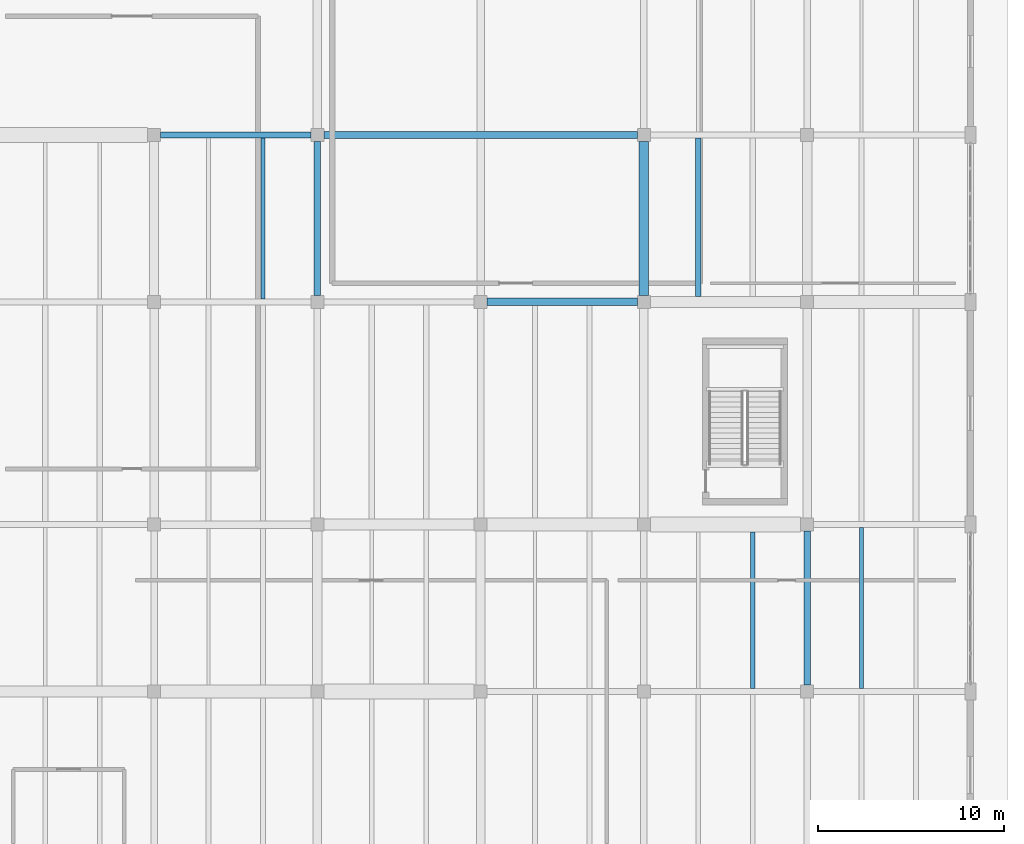
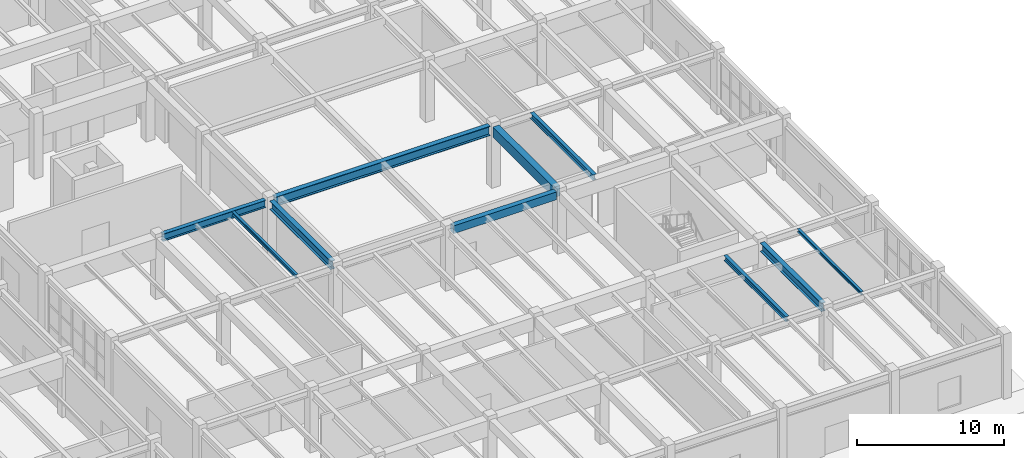
# One storey, part 51 of 91: 10 beams.
"""IFC4 building model written with IfcOpenShell, lengths in metres."""

from ifc_helpers import new_model, si_unit, direction, frame, origin, origin_2d, place, context, subcontext, project, spatial, rectangle, i_section, extrude, material, material_profile, profile_set, type_object, element, save


model = new_model("IFC4")

# Units and contexts
model_context = context("Model", 3, precision=1e-05, world=origin(), true_north=direction((0.0, 1.0)))
body_context = subcontext(model_context, "Body", "Model", "MODEL_VIEW")
ifc_project = project(units=[si_unit("LENGTHUNIT", "METRE"), si_unit("AREAUNIT", "SQUARE_METRE"), si_unit("VOLUMEUNIT", "CUBIC_METRE"), si_unit("PLANEANGLEUNIT", "RADIAN"), si_unit("MASSUNIT", "GRAM", prefix="KILO")], contexts=[model_context])

# Site, building, storey
site_placement = place(None, origin())
site = spatial("IfcSite", under=ifc_project, at=site_placement, CompositionType="ELEMENT")
building_placement = place(site_placement, origin())
building = spatial("IfcBuilding", under=site, at=building_placement, Name="Vaelkrest Opera House", CompositionType="ELEMENT")
storey_placement = place(building_placement, origin())
storey = spatial("IfcBuildingStorey", under=building, at=storey_placement, Name="L00", CompositionType="ELEMENT", Elevation=0.0)

# Beams
ifc_material_1 = material(Name="Concrete C50/60", Category="concrete")
ifc_material_profile_1 = material_profile(ifc_material_1, rectangle(XDim=0.39990234375, YDim=0.64990234375, at=origin_2d()), Name="RCB400X650")
ifc_profile_set_1 = profile_set([ifc_material_profile_1], Name="Concrete C50/60")
beam_type_1 = type_object("IfcBeamType", Name="B01", PredefinedType="BEAM", material=ifc_profile_set_1)
beam_1_placement = place(storey_placement, frame((60.35009765625, -7.800048828125, 4.7548828125), z_axis=(1.0, 0.0, 0.0), x_axis=(0.0, 1.0, 0.0)))
element("IfcBeam", 1, at=beam_1_placement, inside=storey, type_object=beam_type_1, Name="Beam BM-V4-L00-1965", PredefinedType="BEAM", context=body_context, shape_type="SweptSolid", body=[
    extrude(rectangle(XDim=0.39990234375, YDim=0.64990234375, at=origin_2d()), origin(), (0.0, 0.0, 1.0), 8.099853515625),
])
ifc_material_profile_2 = material_profile(ifc_material_1, rectangle(XDim=0.5, YDim=0.85009765625, at=origin_2d()), Name="RCB500X850")
ifc_profile_set_2 = profile_set([ifc_material_profile_2], Name="Concrete C50/60")
beam_type_2 = type_object("IfcBeamType", Name="B03", PredefinedType="BEAM", material=ifc_profile_set_2)
beam_2_placement = place(storey_placement, frame((68.800048828125, -7.449951171875, 4.655029296875), z_axis=(0.0, 1.0, 0.0), x_axis=(-1.0, 0.0, 0.0)))
element("IfcBeam", 2, at=beam_2_placement, inside=storey, type_object=beam_type_2, Name="Beam BM-V4-L00-2024", PredefinedType="BEAM", context=body_context, shape_type="SweptSolid", body=[
    extrude(rectangle(XDim=0.5, YDim=0.85009765625, at=origin_2d()), origin(), (0.0, 0.0, 1.0), 8.300048828125),
])
ifc_material_2 = material(Name="Steel A992 Gr50", Category="steel")
ifc_material_profile_3 = material_profile(ifc_material_2, i_section(OverallWidth=0.323974609375, OverallDepth=0.611083984375, WebThickness=0.0126953125, FlangeThickness=0.01904296875, at=origin_2d()), Name="W24X104")
ifc_profile_set_3 = profile_set([ifc_material_profile_3], Name="Steel A992 Gr50")
beam_type_3 = type_object("IfcBeamType", Name="B08", PredefinedType="BEAM", material=ifc_profile_set_3)
beam_3_placement = place(storey_placement, frame((42.75, 1.199951171875, 4.7744140625), z_axis=(1.0, 0.0, 0.0), x_axis=(0.0, 1.0, 0.0)))
element("IfcBeam", 3, at=beam_3_placement, inside=storey, type_object=beam_type_3, Name="Beam BM-V4-L00-1969", PredefinedType="BEAM", context=body_context, shape_type="SweptSolid", body=[
    extrude(i_section(OverallWidth=0.323974609375, OverallDepth=0.611083984375, WebThickness=0.0126953125, FlangeThickness=0.01904296875, at=origin_2d()), origin(), (0.0, 0.0, 1.0), 8.10009765625),
])
ifc_material_profile_4 = material_profile(ifc_material_2, i_section(OverallWidth=0.35791015625, OverallDepth=0.7060546875, WebThickness=0.018310546875, FlangeThickness=0.0302734375, at=origin_2d()), Name="W27X178")
ifc_profile_set_4 = profile_set([ifc_material_profile_4], Name="Steel A992 Gr50")
beam_type_4 = type_object("IfcBeamType", Name="B14", PredefinedType="BEAM", material=ifc_profile_set_4)
for number, where, z_axis, x_axis, name in (
    (4, (51.199951171875, -7.449951171875, 4.72705078125), (0.0, 1.0, 0.0), (-1.0, 0.0, 0.0), "Beam BM-V4-L00-2010"),
    (5, (77.60009765625, -28.449951171875, 4.72705078125), (0.0, 1.0, 0.0), (-1.0, 0.0, 0.0), "Beam BM-V4-L00-2030"),
):
    element("IfcBeam", number, at=place(storey_placement, frame(where, z_axis=z_axis, x_axis=x_axis)), inside=storey, type_object=beam_type_4, Name=name, PredefinedType="BEAM", context=body_context, shape_type="SweptSolid", body=[
        extrude(i_section(OverallWidth=0.35791015625, OverallDepth=0.7060546875, WebThickness=0.018310546875, FlangeThickness=0.0302734375, at=origin_2d()), origin(), (0.0, 0.0, 1.0), 8.300048828125),
    ])
ifc_material_profile_5 = material_profile(ifc_material_2, i_section(OverallWidth=0.384033203125, OverallDepth=0.785888671875, WebThickness=0.019775390625, FlangeThickness=0.033447265625, at=origin_2d()), Name="W30X211")
ifc_profile_set_5 = profile_set([ifc_material_profile_5], Name="Steel A992 Gr50")
beam_type_5 = type_object("IfcBeamType", Name="B16", PredefinedType="BEAM", material=ifc_profile_set_5)
beam_4_placement = place(storey_placement, frame((51.550048828125, 1.199951171875, 4.68701171875), z_axis=(1.0, 0.0, 0.0), x_axis=(0.0, 1.0, 0.0)))
element("IfcBeam", 6, at=beam_4_placement, inside=storey, type_object=beam_type_5, Name="Beam BM-V4-L00-1970", PredefinedType="BEAM", context=body_context, shape_type="SweptSolid", body=[
    extrude(i_section(OverallWidth=0.384033203125, OverallDepth=0.785888671875, WebThickness=0.019775390625, FlangeThickness=0.033447265625, at=origin_2d()), origin(), (0.0, 0.0, 1.0), 16.89990234375),
])
ifc_material_profile_6 = material_profile(ifc_material_2, i_section(OverallWidth=0.2041015625, OverallDepth=0.257080078125, WebThickness=0.0087890625, FlangeThickness=0.015625, at=origin_2d()), Name="W10X45")
ifc_profile_set_6 = profile_set([ifc_material_profile_6], Name="Steel A992 Gr50")
beam_type_6 = type_object("IfcBeamType", Name="J01", PredefinedType="JOIST", material=ifc_profile_set_6)
beam_5_placement = place(storey_placement, frame((80.532958984375, -28.636474609375, 4.951416015625), z_axis=(0.0, 1.0, 0.0), x_axis=(-1.0, 0.0, 0.0)))
element("IfcBeam", 7, at=beam_5_placement, inside=storey, type_object=beam_type_6, Name="Floor joist JST-V4-L00-2101", PredefinedType="JOIST", context=body_context, shape_type="SweptSolid", body=[
    extrude(i_section(OverallWidth=0.2041015625, OverallDepth=0.257080078125, WebThickness=0.0087890625, FlangeThickness=0.015625, at=origin_2d()), origin(), (0.0, 0.0, 1.0), 8.674560546875),
])
ifc_material_profile_7 = material_profile(ifc_material_2, i_section(OverallWidth=0.202880859375, OverallDepth=0.302978515625, WebThickness=0.007568359375, FlangeThickness=0.01318359375, at=origin_2d()), Name="W12X40")
ifc_profile_set_7 = profile_set([ifc_material_profile_7], Name="Steel A992 Gr50")
beam_type_7 = type_object("IfcBeamType", Name="J02", PredefinedType="JOIST", material=ifc_profile_set_7)
beam_6_placement = place(storey_placement, frame((48.26708984375, -7.636474609375, 4.928466796875), z_axis=(0.0, 1.0, 0.0), x_axis=(-1.0, 0.0, 0.0)))
element("IfcBeam", 8, at=beam_6_placement, inside=storey, type_object=beam_type_7, Name="Floor joist JST-V4-L00-2062", PredefinedType="JOIST", context=body_context, shape_type="SweptSolid", body=[
    extrude(i_section(OverallWidth=0.202880859375, OverallDepth=0.302978515625, WebThickness=0.007568359375, FlangeThickness=0.01318359375, at=origin_2d()), origin(), (0.0, 0.0, 1.0), 8.674560546875),
])
ifc_material_profile_8 = material_profile(ifc_material_2, i_section(OverallWidth=0.261962890625, OverallDepth=0.4189453125, WebThickness=0.01171875, FlangeThickness=0.019287109375, at=origin_2d()), Name="W16X77")
ifc_profile_set_8 = profile_set([ifc_material_profile_8], Name="Steel A992 Gr50")
beam_type_8 = type_object("IfcBeamType", Name="J08", PredefinedType="JOIST", material=ifc_profile_set_8)
beam_7_placement = place(storey_placement, frame((74.6669921875, -28.635986328125, 4.87060546875), z_axis=(0.0, 1.0, 0.0), x_axis=(-1.0, 0.0, 0.0)))
element("IfcBeam", 9, at=beam_7_placement, inside=storey, type_object=beam_type_8, Name="Floor joist JST-V4-L00-2088", PredefinedType="JOIST", context=body_context, shape_type="SweptSolid", body=[
    extrude(i_section(OverallWidth=0.261962890625, OverallDepth=0.4189453125, WebThickness=0.01171875, FlangeThickness=0.019287109375, at=origin_2d()), origin(), (0.0, 0.0, 1.0), 8.43603515625),
])
ifc_material_profile_9 = material_profile(ifc_material_2, i_section(OverallWidth=0.280029296875, OverallDepth=0.462890625, WebThickness=0.0107421875, FlangeThickness=0.017333984375, at=origin_2d()), Name="W18X76")
ifc_profile_set_9 = profile_set([ifc_material_profile_9], Name="Steel A992 Gr50")
beam_type_9 = type_object("IfcBeamType", Name="J09", PredefinedType="JOIST", material=ifc_profile_set_9)
beam_8_placement = place(storey_placement, frame((71.73291015625, -7.5, 4.848388671875), z_axis=(0.0, 1.0, 0.0), x_axis=(-1.0, 0.0, 0.0)))
element("IfcBeam", 10, at=beam_8_placement, inside=storey, type_object=beam_type_9, Name="Floor joist JST-V4-L00-2089", PredefinedType="JOIST", context=body_context, shape_type="SweptSolid", body=[
    extrude(i_section(OverallWidth=0.280029296875, OverallDepth=0.462890625, WebThickness=0.0107421875, FlangeThickness=0.017333984375, at=origin_2d()), origin(), (0.0, 0.0, 1.0), 8.53662109375),
])

save(model, "model.ifc")
